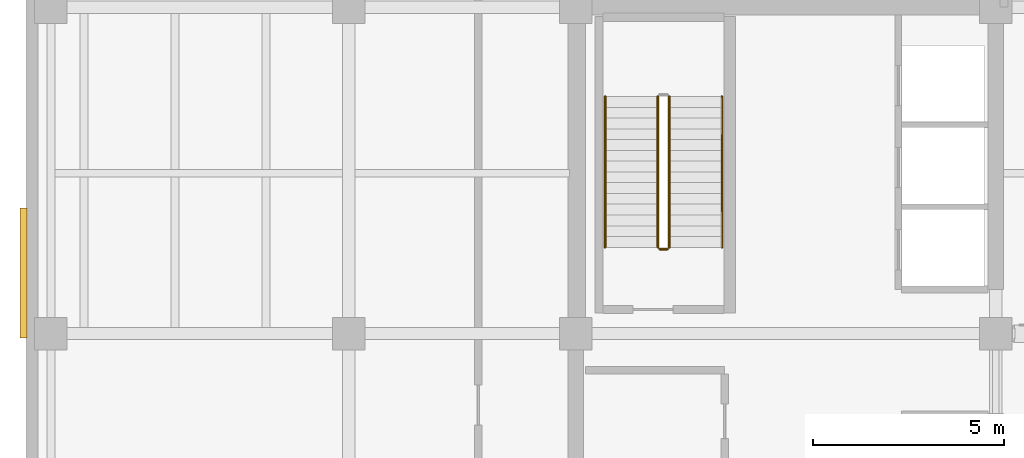
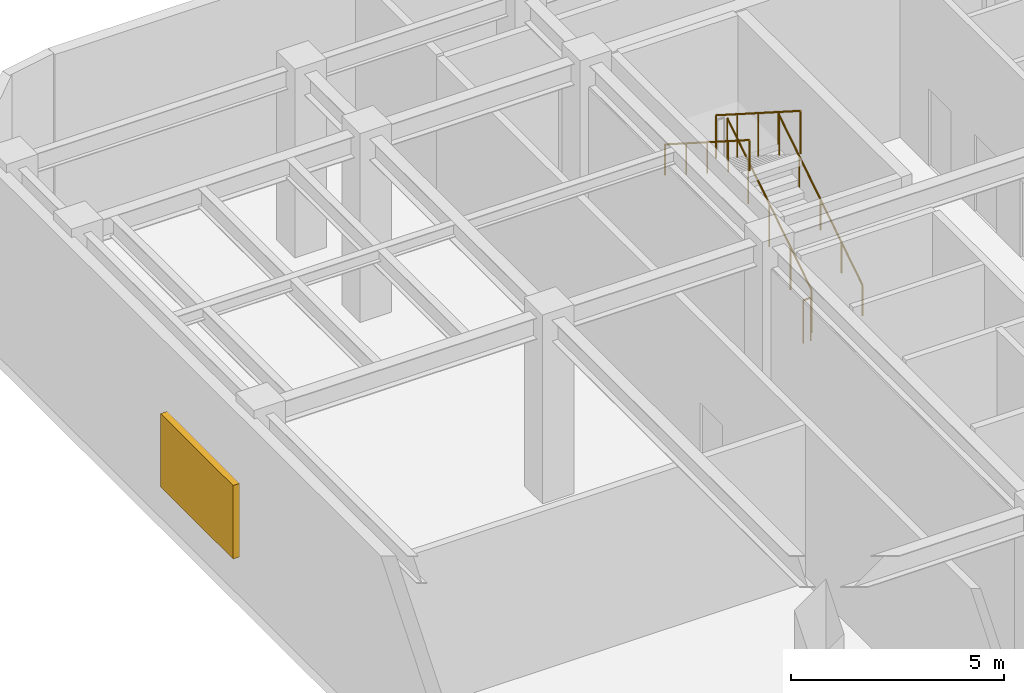
# One storey, part 10 of 12: 5 railings, 1 shading device.
"""IFC4 building model written with IfcOpenShell, lengths in metres."""

from ifc_helpers import new_model, si_unit, direction, frame, origin, origin_2d, place, context, subcontext, project, spatial, rectangle, circle, extrude, material, layer, layer_set, type_object, element, save


model = new_model("IFC4")

# Units and contexts
model_context = context("Model", 3, precision=1e-05, world=origin(), true_north=direction((0.0, 1.0)))
body_context = subcontext(model_context, "Body", "Model", "MODEL_VIEW")
ifc_project = project(units=[si_unit("LENGTHUNIT", "METRE"), si_unit("AREAUNIT", "SQUARE_METRE"), si_unit("VOLUMEUNIT", "CUBIC_METRE"), si_unit("PLANEANGLEUNIT", "RADIAN"), si_unit("MASSUNIT", "GRAM", prefix="KILO")], contexts=[model_context])

# Site, building, storey
site_placement = place(None, origin())
site = spatial("IfcSite", under=ifc_project, at=site_placement, CompositionType="ELEMENT")
building_placement = place(site_placement, origin())
building = spatial("IfcBuilding", under=site, at=building_placement, Name="Ochreholt Gables", CompositionType="ELEMENT")
storey_placement = place(building_placement, frame((0.0, 0.0, 135.60009765625)))
storey = spatial("IfcBuildingStorey", under=building, at=storey_placement, Name="L35", CompositionType="ELEMENT", Elevation=135.60009765625)

# Railings
ifc_material_1 = material(Name="Painted Steel Stair Guardrail", Category="steel")
railing_type_1 = type_object("IfcRailingType", Name="RL-ST-GUARD", PredefinedType="GUARDRAIL", material=ifc_material_1)
railing_1_placement = place(storey_placement, frame((26.64990234375, 32.4599609375, 0.179931640625)))
element("IfcRailing", 1, at=railing_1_placement, inside=storey, type_object=railing_type_1, Name="L35 ST-2 stair guard 1", PredefinedType="GUARDRAIL", context=body_context, shape_type="SweptSolid", body=[
    extrude(circle(Radius=0.02392578125, at=origin_2d()), frame((0.0, 0.0, 1.22607421875), z_axis=(0.0, 0.842920197654, 0.538038604922), x_axis=(-1.0, 0.0, 0.0)), (0.0, 0.0, 1.0), 4.68359375),
    extrude(circle(Radius=0.02099609375, at=origin_2d()), origin(), (0.0, 0.0, 1.0), 1.201904296875),
    extrude(circle(Radius=0.02099609375, at=origin_2d()), frame((0.0, 0.987060546875, 0.6298828125)), (0.0, 0.0, 1.0), 1.201904296875),
    extrude(circle(Radius=0.02099609375, at=origin_2d()), frame((0.0, 1.97412109375, 1.260009765625)), (0.0, 0.0, 1.0), 1.201904296875),
    extrude(circle(Radius=0.02099609375, at=origin_2d()), frame((0.0, 2.9609375, 1.89013671875)), (0.0, 0.0, 1.0), 1.201904296875),
    extrude(circle(Radius=0.02099609375, at=origin_2d()), frame((0.0, 3.947998046875, 2.52001953125)), (0.0, 0.0, 1.0), 1.201904296875),
])
railing_2_placement = place(storey_placement, frame((26.35009765625, 36.407958984375, 2.8798828125)))
element("IfcRailing", 2, at=railing_2_placement, inside=storey, type_object=railing_type_1, Name="L35 ST-2 stair guard 3", PredefinedType="GUARDRAIL", context=body_context, shape_type="SweptSolid", body=[
    extrude(circle(Radius=0.02392578125, at=origin_2d()), frame((0.0, 0.0, 1.22607421875), z_axis=(0.0, -0.842920197654, 0.538038604922), x_axis=(1.0, 0.0, 0.0)), (0.0, 0.0, 1.0), 4.68359375),
    extrude(circle(Radius=0.02099609375, at=origin_2d()), origin(), (0.0, 0.0, 1.0), 1.201904296875),
    extrude(circle(Radius=0.02099609375, at=origin_2d()), frame((0.0, -0.987060546875, 0.6298828125)), (0.0, 0.0, 1.0), 1.201904296875),
    extrude(circle(Radius=0.02099609375, at=origin_2d()), frame((0.0, -1.97412109375, 1.260009765625)), (0.0, 0.0, 1.0), 1.201904296875),
    extrude(circle(Radius=0.02099609375, at=origin_2d()), frame((0.0, -2.9609375, 1.89013671875)), (0.0, 0.0, 1.0), 1.201904296875),
    extrude(circle(Radius=0.02099609375, at=origin_2d()), frame((0.0, -3.947998046875, 2.52001953125)), (0.0, 0.0, 1.0), 1.201904296875),
])
railing_3_placement = place(storey_placement, frame((26.60009765625, 32.409912109375, 0.0)))
element("IfcRailing", 3, at=railing_3_placement, inside=storey, type_object=railing_type_1, Name="L35 ST-2 stair guard 4", PredefinedType="GUARDRAIL", context=body_context, shape_type="SweptSolid", body=[
    extrude(circle(Radius=0.02392578125, at=origin_2d()), frame((0.0, 0.0, 1.22607421875), z_axis=(-1.0, 0.0, 0.0), x_axis=(0.0, -1.0, 0.0)), (0.0, 0.0, 1.0), 0.2001953125),
    extrude(circle(Radius=0.02099609375, at=origin_2d()), origin(), (0.0, 0.0, 1.0), 1.201904296875),
    extrude(circle(Radius=0.02099609375, at=origin_2d()), frame((-0.2001953125, 0.0, 0.0)), (0.0, 0.0, 1.0), 1.201904296875),
])
ifc_material_2 = material(Name="Brushed Stainless Steel Wall Handrail", Category="steel")
railing_type_2 = type_object("IfcRailingType", Name="RL-ST-HAND", PredefinedType="HANDRAIL", material=ifc_material_2)
railing_4_placement = place(storey_placement, frame((28.030029296875, 32.4599609375, 0.179931640625)))
element("IfcRailing", 4, at=railing_4_placement, inside=storey, type_object=railing_type_2, Name="L35 ST-2 stair handrail 1", PredefinedType="HANDRAIL", context=body_context, shape_type="SweptSolid", body=[
    extrude(circle(Radius=0.02392578125, at=origin_2d()), frame((0.0, 0.0, 0.8759765625), z_axis=(0.0, 0.842920197654, 0.538038604922), x_axis=(-1.0, 0.0, 0.0)), (0.0, 0.0, 1.0), 4.68359375),
    extrude(circle(Radius=0.02099609375, at=origin_2d()), origin(), (0.0, 0.0, 1.0), 0.851806640625),
    extrude(circle(Radius=0.02099609375, at=origin_2d()), frame((0.0, 0.987060546875, 0.6298828125)), (0.0, 0.0, 1.0), 0.851806640625),
    extrude(circle(Radius=0.02099609375, at=origin_2d()), frame((0.0, 1.97412109375, 1.260009765625)), (0.0, 0.0, 1.0), 0.851806640625),
    extrude(circle(Radius=0.02099609375, at=origin_2d()), frame((0.0, 2.9609375, 1.89013671875)), (0.0, 0.0, 1.0), 0.851806640625),
    extrude(circle(Radius=0.02099609375, at=origin_2d()), frame((0.0, 3.947998046875, 2.52001953125)), (0.0, 0.0, 1.0), 0.851806640625),
])
railing_5_placement = place(storey_placement, frame((24.969970703125, 36.407958984375, 2.8798828125)))
element("IfcRailing", 5, at=railing_5_placement, inside=storey, type_object=railing_type_2, Name="L35 ST-2 stair handrail 2", PredefinedType="HANDRAIL", context=body_context, shape_type="SweptSolid", body=[
    extrude(circle(Radius=0.02392578125, at=origin_2d()), frame((0.0, 0.0, 0.8759765625), z_axis=(0.0, -0.842920197654, 0.538038604922), x_axis=(1.0, 0.0, 0.0)), (0.0, 0.0, 1.0), 4.68359375),
    extrude(circle(Radius=0.02099609375, at=origin_2d()), origin(), (0.0, 0.0, 1.0), 0.851806640625),
    extrude(circle(Radius=0.02099609375, at=origin_2d()), frame((0.0, -0.987060546875, 0.6298828125)), (0.0, 0.0, 1.0), 0.851806640625),
    extrude(circle(Radius=0.02099609375, at=origin_2d()), frame((0.0, -1.97412109375, 1.260009765625)), (0.0, 0.0, 1.0), 0.851806640625),
    extrude(circle(Radius=0.02099609375, at=origin_2d()), frame((0.0, -2.9609375, 1.89013671875)), (0.0, 0.0, 1.0), 0.851806640625),
    extrude(circle(Radius=0.02099609375, at=origin_2d()), frame((0.0, -3.947998046875, 2.52001953125)), (0.0, 0.0, 1.0), 0.851806640625),
])

# Shading device
ifc_material_3 = material(Name="Anodized Aluminium Acoustic Weather Louvre", Category="aluminium")
ifc_layer = layer(ifc_material_3, 0.179931640625, Name="Anodized Aluminium Acoustic Weather Louvre")
ifc_layer_set = layer_set([ifc_layer], Name="Anodized Aluminium Acoustic Weather Louvre")
shading_device_type = type_object("IfcShadingDeviceType", Name="SHD-LOUVRE", PredefinedType="JALOUSIE", material=ifc_layer_set)
shading_device_placement = place(storey_placement, frame((9.72998046875, 31.7880859375, 1.099853515625), z_axis=(0.0, 0.0, 1.0), x_axis=(0.0, -1.0, 0.0)))
element("IfcShadingDevice", 6, at=shading_device_placement, inside=storey, type_object=shading_device_type, Name="L35 Acoustic Plant Louvre West-1", PredefinedType="JALOUSIE", context=body_context, shape_type="SweptSolid", body=[
    extrude(rectangle(XDim=3.39990234375, YDim=0.179931640625, at=origin_2d()), origin(), (0.0, 0.0, 1.0), 2.10009765625),
])

save(model, "model.ifc")
